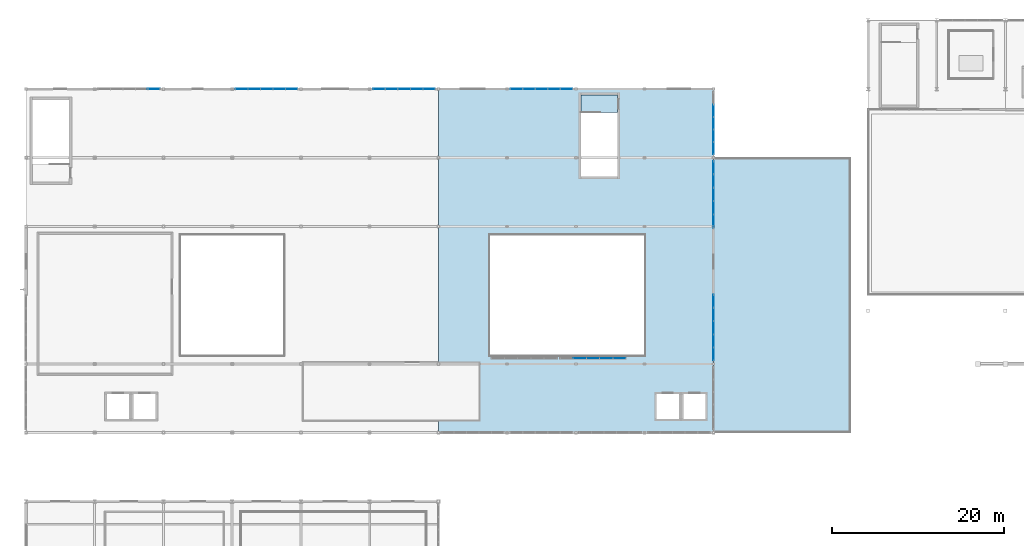
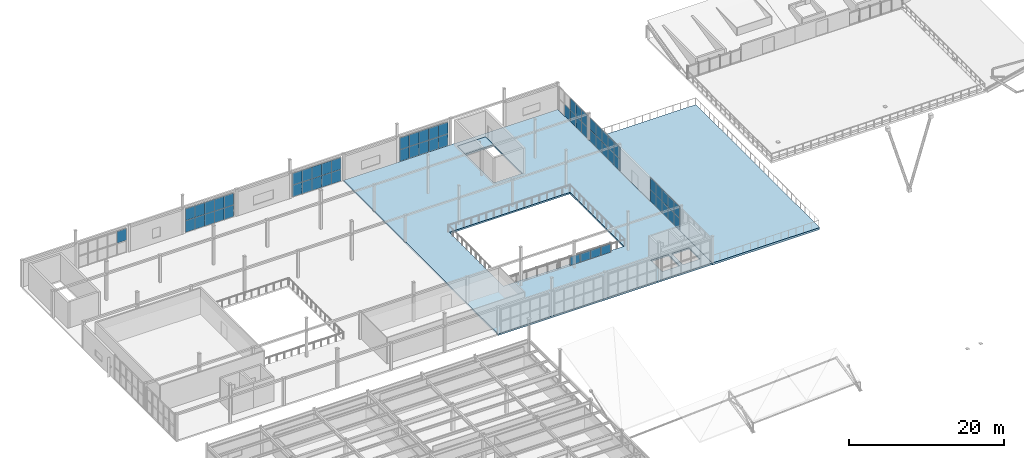
# One storey, part 49 of 83: 62 plates, 3 slabs, 8 elements without a shape of their own.
"""IFC4 building model written with IfcOpenShell, lengths in metres."""

from ifc_helpers import new_model, si_unit, direction, frame, origin, origin_2d, place, context, subcontext, project, spatial, polyline, rectangle, outline, extrude, material, layer, layer_set, type_object, element, aggregate, save


model = new_model("IFC4")

# Units and contexts
model_context = context("Model", 3, precision=1e-05, world=origin(), true_north=direction((0.0, 1.0)))
body_context = subcontext(model_context, "Body", "Model", "MODEL_VIEW")
ifc_project = project(units=[si_unit("LENGTHUNIT", "METRE"), si_unit("AREAUNIT", "SQUARE_METRE"), si_unit("VOLUMEUNIT", "CUBIC_METRE"), si_unit("PLANEANGLEUNIT", "RADIAN"), si_unit("MASSUNIT", "GRAM", prefix="KILO")], contexts=[model_context])

# Site, building, storey
site_placement = place(None, origin())
site = spatial("IfcSite", under=ifc_project, at=site_placement, CompositionType="ELEMENT")
building_placement = place(site_placement, origin())
building = spatial("IfcBuilding", under=site, at=building_placement, Name="Drelvath Fold Interchange", CompositionType="ELEMENT")
storey_placement = place(building_placement, frame((0.0, 0.0, 11.199951171875)))
storey = spatial("IfcBuildingStorey", under=building, at=storey_placement, Name="L02", CompositionType="ELEMENT", Elevation=11.199951171875)

# Curtain wall, plates
ifc_material_1 = material(Name="Anodized Aluminium 6063-T6", Category="aluminium")
curtain_wall_type_1 = type_object("IfcCurtainWallType", Name="CW-ATR-SCR", PredefinedType="USERDEFINED", material=ifc_material_1)
curtain_wall_1_placement = place(storey_placement, origin())
curtain_wall_1 = element("IfcCurtainWall", 1, at=curtain_wall_1_placement, inside=storey, type_object=curtain_wall_type_1, Name="Curtain wall CW-ATR-L02-S66", ObjectType="GLAZED SCREEN WALL", PredefinedType="USERDEFINED")
ifc_material_2 = material(Name="Low-Iron Insulated Laminated Glass", Category="glass")
ifc_layer_1 = layer(ifc_material_2, 0.02001953125, Name="Low-Iron Insulated Laminated Glass")
ifc_layer_set_1 = layer_set([ifc_layer_1], Name="Low-Iron Insulated Laminated Glass")
plate_type_1 = type_object("IfcPlateType", Name="CP-ATR-A", PredefinedType="CURTAIN_PANEL", material=ifc_layer_set_1)
plate_1_placement = place(storey_placement, frame((68.4599609375, 67.64990234375, 0.0400390625), z_axis=(0.0, 0.0, 1.0), x_axis=(1.0, 0.0, 0.0)))
plate_1 = element("IfcPlate", 2, at=plate_1_placement, type_object=plate_type_1, Name="CW-ATR-L02-S66 glazed panel 1-0", PredefinedType="CURTAIN_PANEL", context=body_context, shape_type="SweptSolid", body=[
    extrude(rectangle(XDim=1.52001953125, YDim=0.02001953125, at=origin_2d()), origin(), (0.0, 0.0, 1.0), 1.3701171875),
])
plate_2_placement = place(storey_placement, frame((70.0, 67.64990234375, 0.0400390625), z_axis=(0.0, 0.0, 1.0), x_axis=(1.0, 0.0, 0.0)))
plate_2 = element("IfcPlate", 3, at=plate_2_placement, type_object=plate_type_1, Name="CW-ATR-L02-S66 glazed panel 2-0", PredefinedType="CURTAIN_PANEL", context=body_context, shape_type="SweptSolid", body=[
    extrude(rectangle(XDim=1.52001953125, YDim=0.02001953125, at=origin_2d()), origin(), (0.0, 0.0, 1.0), 1.3701171875),
])
plate_3_placement = place(storey_placement, frame((71.5400390625, 67.64990234375, 0.0400390625), z_axis=(0.0, 0.0, 1.0), x_axis=(1.0, 0.0, 0.0)))
plate_3 = element("IfcPlate", 4, at=plate_3_placement, type_object=plate_type_1, Name="CW-ATR-L02-S66 glazed panel 3-0", PredefinedType="CURTAIN_PANEL", context=body_context, shape_type="SweptSolid", body=[
    extrude(rectangle(XDim=1.52001953125, YDim=0.02001953125, at=origin_2d()), origin(), (0.0, 0.0, 1.0), 1.3701171875),
])
plate_4_placement = place(storey_placement, frame((73.06005859375, 67.64990234375, 0.0400390625), z_axis=(0.0, 0.0, 1.0), x_axis=(1.0, 0.0, 0.0)))
plate_4 = element("IfcPlate", 5, at=plate_4_placement, type_object=plate_type_1, Name="CW-ATR-L02-S66 glazed panel 4-0", PredefinedType="CURTAIN_PANEL", context=body_context, shape_type="SweptSolid", body=[
    extrude(rectangle(XDim=1.47998046875, YDim=0.02001953125, at=origin_2d()), origin(), (0.0, 0.0, 1.0), 1.3701171875),
])
aggregate(curtain_wall_1, [plate_1, plate_2, plate_3, plate_4])

# Curtain wall, plate
curtain_wall_type_2 = type_object("IfcCurtainWallType", Name="CW-CON-440", PredefinedType="USERDEFINED", material=ifc_material_1)
curtain_wall_2_placement = place(storey_placement, origin())
curtain_wall_2 = element("IfcCurtainWall", 6, at=curtain_wall_2_placement, inside=storey, type_object=curtain_wall_type_2, Name="Curtain wall CW-V1-L02-N12", ObjectType="UNITISED CURTAIN WALL", PredefinedType="USERDEFINED")
ifc_layer_2 = layer(ifc_material_2, 0.05810546875, Name="Low-Iron Insulated Laminated Glass")
ifc_layer_set_2 = layer_set([ifc_layer_2], Name="Low-Iron Insulated Laminated Glass")
plate_type_2 = type_object("IfcPlateType", Name="CP-CON-B", PredefinedType="CURTAIN_PANEL", material=ifc_layer_set_2)
plate_5_placement = place(storey_placement, frame((18.89208984375, 99.0, 1.909912109375), z_axis=(0.0, 0.0, 1.0), x_axis=(1.0, 0.0, 0.0)))
plate_5 = element("IfcPlate", 7, at=plate_5_placement, type_object=plate_type_2, Name="CW-V1-L02-N12 glazed panel 4-1", PredefinedType="CURTAIN_PANEL", context=body_context, shape_type="SweptSolid", body=[
    extrude(rectangle(XDim=1.39599609375, YDim=0.05810546875, at=origin_2d()), origin(), (0.0, 0.0, 1.0), 1.85009765625),
])
aggregate(curtain_wall_2, [plate_5])

# Curtain wall, plates
curtain_wall_3_placement = place(storey_placement, origin())
curtain_wall_3 = element("IfcCurtainWall", 8, at=curtain_wall_3_placement, inside=storey, type_object=curtain_wall_type_2, Name="Curtain wall CW-V1-L02-N28", ObjectType="UNITISED CURTAIN WALL", PredefinedType="USERDEFINED")
plate_6_placement = place(storey_placement, frame((29.10791015625, 99.0, 0.0400390625), z_axis=(0.0, 0.0, 1.0), x_axis=(1.0, 0.0, 0.0)))
plate_6 = element("IfcPlate", 9, at=plate_6_placement, type_object=plate_type_2, Name="CW-V1-L02-N28 glazed panel 0-0", PredefinedType="CURTAIN_PANEL", context=body_context, shape_type="SweptSolid", body=[
    extrude(rectangle(XDim=1.39599609375, YDim=0.05810546875, at=origin_2d()), origin(), (0.0, 0.0, 1.0), 1.85009765625),
])
plate_7_placement = place(storey_placement, frame((29.10791015625, 99.0, 1.909912109375), z_axis=(0.0, 0.0, 1.0), x_axis=(1.0, 0.0, 0.0)))
plate_7 = element("IfcPlate", 10, at=plate_7_placement, type_object=plate_type_2, Name="CW-V1-L02-N28 glazed panel 0-1", PredefinedType="CURTAIN_PANEL", context=body_context, shape_type="SweptSolid", body=[
    extrude(rectangle(XDim=1.39599609375, YDim=0.05810546875, at=origin_2d()), origin(), (0.0, 0.0, 1.0), 1.85009765625),
])
plate_8_placement = place(storey_placement, frame((30.5439453125, 99.0, 0.0400390625), z_axis=(0.0, 0.0, 1.0), x_axis=(1.0, 0.0, 0.0)))
plate_8 = element("IfcPlate", 11, at=plate_8_placement, type_object=plate_type_2, Name="CW-V1-L02-N28 glazed panel 1-0", PredefinedType="CURTAIN_PANEL", context=body_context, shape_type="SweptSolid", body=[
    extrude(rectangle(XDim=1.43603515625, YDim=0.05810546875, at=origin_2d()), origin(), (0.0, 0.0, 1.0), 1.85009765625),
])
plate_9_placement = place(storey_placement, frame((30.5439453125, 99.0, 1.909912109375), z_axis=(0.0, 0.0, 1.0), x_axis=(1.0, 0.0, 0.0)))
plate_9 = element("IfcPlate", 12, at=plate_9_placement, type_object=plate_type_2, Name="CW-V1-L02-N28 glazed panel 1-1", PredefinedType="CURTAIN_PANEL", context=body_context, shape_type="SweptSolid", body=[
    extrude(rectangle(XDim=1.43603515625, YDim=0.05810546875, at=origin_2d()), origin(), (0.0, 0.0, 1.0), 1.85009765625),
])
plate_10_placement = place(storey_placement, frame((32.0, 99.0, 0.0400390625), z_axis=(0.0, 0.0, 1.0), x_axis=(1.0, 0.0, 0.0)))
plate_10 = element("IfcPlate", 13, at=plate_10_placement, type_object=plate_type_2, Name="CW-V1-L02-N28 glazed panel 2-0", PredefinedType="CURTAIN_PANEL", context=body_context, shape_type="SweptSolid", body=[
    extrude(rectangle(XDim=1.43603515625, YDim=0.05810546875, at=origin_2d()), origin(), (0.0, 0.0, 1.0), 1.85009765625),
])
plate_11_placement = place(storey_placement, frame((32.0, 99.0, 1.909912109375), z_axis=(0.0, 0.0, 1.0), x_axis=(1.0, 0.0, 0.0)))
plate_11 = element("IfcPlate", 14, at=plate_11_placement, type_object=plate_type_2, Name="CW-V1-L02-N28 glazed panel 2-1", PredefinedType="CURTAIN_PANEL", context=body_context, shape_type="SweptSolid", body=[
    extrude(rectangle(XDim=1.43603515625, YDim=0.05810546875, at=origin_2d()), origin(), (0.0, 0.0, 1.0), 1.85009765625),
])
plate_12_placement = place(storey_placement, frame((33.4560546875, 99.0, 0.0400390625), z_axis=(0.0, 0.0, 1.0), x_axis=(1.0, 0.0, 0.0)))
plate_12 = element("IfcPlate", 15, at=plate_12_placement, type_object=plate_type_2, Name="CW-V1-L02-N28 glazed panel 3-0", PredefinedType="CURTAIN_PANEL", context=body_context, shape_type="SweptSolid", body=[
    extrude(rectangle(XDim=1.43603515625, YDim=0.05810546875, at=origin_2d()), origin(), (0.0, 0.0, 1.0), 1.85009765625),
])
plate_13_placement = place(storey_placement, frame((33.4560546875, 99.0, 1.909912109375), z_axis=(0.0, 0.0, 1.0), x_axis=(1.0, 0.0, 0.0)))
plate_13 = element("IfcPlate", 16, at=plate_13_placement, type_object=plate_type_2, Name="CW-V1-L02-N28 glazed panel 3-1", PredefinedType="CURTAIN_PANEL", context=body_context, shape_type="SweptSolid", body=[
    extrude(rectangle(XDim=1.43603515625, YDim=0.05810546875, at=origin_2d()), origin(), (0.0, 0.0, 1.0), 1.85009765625),
])
plate_14_placement = place(storey_placement, frame((34.89208984375, 99.0, 0.0400390625), z_axis=(0.0, 0.0, 1.0), x_axis=(1.0, 0.0, 0.0)))
plate_14 = element("IfcPlate", 17, at=plate_14_placement, type_object=plate_type_2, Name="CW-V1-L02-N28 glazed panel 4-0", PredefinedType="CURTAIN_PANEL", context=body_context, shape_type="SweptSolid", body=[
    extrude(rectangle(XDim=1.39599609375, YDim=0.05810546875, at=origin_2d()), origin(), (0.0, 0.0, 1.0), 1.85009765625),
])
plate_15_placement = place(storey_placement, frame((34.89208984375, 99.0, 1.909912109375), z_axis=(0.0, 0.0, 1.0), x_axis=(1.0, 0.0, 0.0)))
plate_15 = element("IfcPlate", 18, at=plate_15_placement, type_object=plate_type_2, Name="CW-V1-L02-N28 glazed panel 4-1", PredefinedType="CURTAIN_PANEL", context=body_context, shape_type="SweptSolid", body=[
    extrude(rectangle(XDim=1.39599609375, YDim=0.05810546875, at=origin_2d()), origin(), (0.0, 0.0, 1.0), 1.85009765625),
])
aggregate(curtain_wall_3, [plate_6, plate_7, plate_8, plate_9, plate_10, plate_11, plate_12, plate_13, plate_14, plate_15])

curtain_wall_4_placement = place(storey_placement, origin())
curtain_wall_4 = element("IfcCurtainWall", 19, at=curtain_wall_4_placement, inside=storey, type_object=curtain_wall_type_2, Name="Curtain wall CW-V1-L02-N44", ObjectType="UNITISED CURTAIN WALL", PredefinedType="USERDEFINED")
plate_16_placement = place(storey_placement, frame((45.10791015625, 99.0, 0.0400390625), z_axis=(0.0, 0.0, 1.0), x_axis=(1.0, 0.0, 0.0)))
plate_16 = element("IfcPlate", 20, at=plate_16_placement, type_object=plate_type_2, Name="CW-V1-L02-N44 glazed panel 0-0", PredefinedType="CURTAIN_PANEL", context=body_context, shape_type="SweptSolid", body=[
    extrude(rectangle(XDim=1.39599609375, YDim=0.05810546875, at=origin_2d()), origin(), (0.0, 0.0, 1.0), 1.85009765625),
])
plate_17_placement = place(storey_placement, frame((45.10791015625, 99.0, 1.909912109375), z_axis=(0.0, 0.0, 1.0), x_axis=(1.0, 0.0, 0.0)))
plate_17 = element("IfcPlate", 21, at=plate_17_placement, type_object=plate_type_2, Name="CW-V1-L02-N44 glazed panel 0-1", PredefinedType="CURTAIN_PANEL", context=body_context, shape_type="SweptSolid", body=[
    extrude(rectangle(XDim=1.39599609375, YDim=0.05810546875, at=origin_2d()), origin(), (0.0, 0.0, 1.0), 1.85009765625),
])
plate_18_placement = place(storey_placement, frame((46.5439453125, 99.0, 0.0400390625), z_axis=(0.0, 0.0, 1.0), x_axis=(1.0, 0.0, 0.0)))
plate_18 = element("IfcPlate", 22, at=plate_18_placement, type_object=plate_type_2, Name="CW-V1-L02-N44 glazed panel 1-0", PredefinedType="CURTAIN_PANEL", context=body_context, shape_type="SweptSolid", body=[
    extrude(rectangle(XDim=1.43603515625, YDim=0.05810546875, at=origin_2d()), origin(), (0.0, 0.0, 1.0), 1.85009765625),
])
plate_19_placement = place(storey_placement, frame((46.5439453125, 99.0, 1.909912109375), z_axis=(0.0, 0.0, 1.0), x_axis=(1.0, 0.0, 0.0)))
plate_19 = element("IfcPlate", 23, at=plate_19_placement, type_object=plate_type_2, Name="CW-V1-L02-N44 glazed panel 1-1", PredefinedType="CURTAIN_PANEL", context=body_context, shape_type="SweptSolid", body=[
    extrude(rectangle(XDim=1.43603515625, YDim=0.05810546875, at=origin_2d()), origin(), (0.0, 0.0, 1.0), 1.85009765625),
])
plate_20_placement = place(storey_placement, frame((48.0, 99.0, 0.0400390625), z_axis=(0.0, 0.0, 1.0), x_axis=(1.0, 0.0, 0.0)))
plate_20 = element("IfcPlate", 24, at=plate_20_placement, type_object=plate_type_2, Name="CW-V1-L02-N44 glazed panel 2-0", PredefinedType="CURTAIN_PANEL", context=body_context, shape_type="SweptSolid", body=[
    extrude(rectangle(XDim=1.43603515625, YDim=0.05810546875, at=origin_2d()), origin(), (0.0, 0.0, 1.0), 1.85009765625),
])
plate_21_placement = place(storey_placement, frame((48.0, 99.0, 1.909912109375), z_axis=(0.0, 0.0, 1.0), x_axis=(1.0, 0.0, 0.0)))
plate_21 = element("IfcPlate", 25, at=plate_21_placement, type_object=plate_type_2, Name="CW-V1-L02-N44 glazed panel 2-1", PredefinedType="CURTAIN_PANEL", context=body_context, shape_type="SweptSolid", body=[
    extrude(rectangle(XDim=1.43603515625, YDim=0.05810546875, at=origin_2d()), origin(), (0.0, 0.0, 1.0), 1.85009765625),
])
plate_22_placement = place(storey_placement, frame((49.4560546875, 99.0, 0.0400390625), z_axis=(0.0, 0.0, 1.0), x_axis=(1.0, 0.0, 0.0)))
plate_22 = element("IfcPlate", 26, at=plate_22_placement, type_object=plate_type_2, Name="CW-V1-L02-N44 glazed panel 3-0", PredefinedType="CURTAIN_PANEL", context=body_context, shape_type="SweptSolid", body=[
    extrude(rectangle(XDim=1.43603515625, YDim=0.05810546875, at=origin_2d()), origin(), (0.0, 0.0, 1.0), 1.85009765625),
])
plate_23_placement = place(storey_placement, frame((49.4560546875, 99.0, 1.909912109375), z_axis=(0.0, 0.0, 1.0), x_axis=(1.0, 0.0, 0.0)))
plate_23 = element("IfcPlate", 27, at=plate_23_placement, type_object=plate_type_2, Name="CW-V1-L02-N44 glazed panel 3-1", PredefinedType="CURTAIN_PANEL", context=body_context, shape_type="SweptSolid", body=[
    extrude(rectangle(XDim=1.43603515625, YDim=0.05810546875, at=origin_2d()), origin(), (0.0, 0.0, 1.0), 1.85009765625),
])
plate_24_placement = place(storey_placement, frame((50.89208984375, 99.0, 0.0400390625), z_axis=(0.0, 0.0, 1.0), x_axis=(1.0, 0.0, 0.0)))
plate_24 = element("IfcPlate", 28, at=plate_24_placement, type_object=plate_type_2, Name="CW-V1-L02-N44 glazed panel 4-0", PredefinedType="CURTAIN_PANEL", context=body_context, shape_type="SweptSolid", body=[
    extrude(rectangle(XDim=1.39599609375, YDim=0.05810546875, at=origin_2d()), origin(), (0.0, 0.0, 1.0), 1.85009765625),
])
plate_25_placement = place(storey_placement, frame((50.89208984375, 99.0, 1.909912109375), z_axis=(0.0, 0.0, 1.0), x_axis=(1.0, 0.0, 0.0)))
plate_25 = element("IfcPlate", 29, at=plate_25_placement, type_object=plate_type_2, Name="CW-V1-L02-N44 glazed panel 4-1", PredefinedType="CURTAIN_PANEL", context=body_context, shape_type="SweptSolid", body=[
    extrude(rectangle(XDim=1.39599609375, YDim=0.05810546875, at=origin_2d()), origin(), (0.0, 0.0, 1.0), 1.85009765625),
])
aggregate(curtain_wall_4, [plate_16, plate_17, plate_18, plate_19, plate_20, plate_21, plate_22, plate_23, plate_24, plate_25])

curtain_wall_5_placement = place(storey_placement, origin())
curtain_wall_5 = element("IfcCurtainWall", 30, at=curtain_wall_5_placement, inside=storey, type_object=curtain_wall_type_2, Name="Curtain wall CW-V1-L02-N60", ObjectType="UNITISED CURTAIN WALL", PredefinedType="USERDEFINED")
plate_26_placement = place(storey_placement, frame((61.10791015625, 99.0, 0.0400390625), z_axis=(0.0, 0.0, 1.0), x_axis=(1.0, 0.0, 0.0)))
plate_26 = element("IfcPlate", 31, at=plate_26_placement, type_object=plate_type_2, Name="CW-V1-L02-N60 glazed panel 0-0", PredefinedType="CURTAIN_PANEL", context=body_context, shape_type="SweptSolid", body=[
    extrude(rectangle(XDim=1.39599609375, YDim=0.05810546875, at=origin_2d()), origin(), (0.0, 0.0, 1.0), 1.85009765625),
])
plate_27_placement = place(storey_placement, frame((61.10791015625, 99.0, 1.909912109375), z_axis=(0.0, 0.0, 1.0), x_axis=(1.0, 0.0, 0.0)))
plate_27 = element("IfcPlate", 32, at=plate_27_placement, type_object=plate_type_2, Name="CW-V1-L02-N60 glazed panel 0-1", PredefinedType="CURTAIN_PANEL", context=body_context, shape_type="SweptSolid", body=[
    extrude(rectangle(XDim=1.39599609375, YDim=0.05810546875, at=origin_2d()), origin(), (0.0, 0.0, 1.0), 1.85009765625),
])
plate_28_placement = place(storey_placement, frame((62.5439453125, 99.0, 0.0400390625), z_axis=(0.0, 0.0, 1.0), x_axis=(1.0, 0.0, 0.0)))
plate_28 = element("IfcPlate", 33, at=plate_28_placement, type_object=plate_type_2, Name="CW-V1-L02-N60 glazed panel 1-0", PredefinedType="CURTAIN_PANEL", context=body_context, shape_type="SweptSolid", body=[
    extrude(rectangle(XDim=1.43603515625, YDim=0.05810546875, at=origin_2d()), origin(), (0.0, 0.0, 1.0), 1.85009765625),
])
plate_29_placement = place(storey_placement, frame((62.5439453125, 99.0, 1.909912109375), z_axis=(0.0, 0.0, 1.0), x_axis=(1.0, 0.0, 0.0)))
plate_29 = element("IfcPlate", 34, at=plate_29_placement, type_object=plate_type_2, Name="CW-V1-L02-N60 glazed panel 1-1", PredefinedType="CURTAIN_PANEL", context=body_context, shape_type="SweptSolid", body=[
    extrude(rectangle(XDim=1.43603515625, YDim=0.05810546875, at=origin_2d()), origin(), (0.0, 0.0, 1.0), 1.85009765625),
])
plate_30_placement = place(storey_placement, frame((64.0, 99.0, 0.0400390625), z_axis=(0.0, 0.0, 1.0), x_axis=(1.0, 0.0, 0.0)))
plate_30 = element("IfcPlate", 35, at=plate_30_placement, type_object=plate_type_2, Name="CW-V1-L02-N60 glazed panel 2-0", PredefinedType="CURTAIN_PANEL", context=body_context, shape_type="SweptSolid", body=[
    extrude(rectangle(XDim=1.43603515625, YDim=0.05810546875, at=origin_2d()), origin(), (0.0, 0.0, 1.0), 1.85009765625),
])
plate_31_placement = place(storey_placement, frame((64.0, 99.0, 1.909912109375), z_axis=(0.0, 0.0, 1.0), x_axis=(1.0, 0.0, 0.0)))
plate_31 = element("IfcPlate", 36, at=plate_31_placement, type_object=plate_type_2, Name="CW-V1-L02-N60 glazed panel 2-1", PredefinedType="CURTAIN_PANEL", context=body_context, shape_type="SweptSolid", body=[
    extrude(rectangle(XDim=1.43603515625, YDim=0.05810546875, at=origin_2d()), origin(), (0.0, 0.0, 1.0), 1.85009765625),
])
plate_32_placement = place(storey_placement, frame((65.4560546875, 99.0, 0.0400390625), z_axis=(0.0, 0.0, 1.0), x_axis=(1.0, 0.0, 0.0)))
plate_32 = element("IfcPlate", 37, at=plate_32_placement, type_object=plate_type_2, Name="CW-V1-L02-N60 glazed panel 3-0", PredefinedType="CURTAIN_PANEL", context=body_context, shape_type="SweptSolid", body=[
    extrude(rectangle(XDim=1.43603515625, YDim=0.05810546875, at=origin_2d()), origin(), (0.0, 0.0, 1.0), 1.85009765625),
])
plate_33_placement = place(storey_placement, frame((65.4560546875, 99.0, 1.909912109375), z_axis=(0.0, 0.0, 1.0), x_axis=(1.0, 0.0, 0.0)))
plate_33 = element("IfcPlate", 38, at=plate_33_placement, type_object=plate_type_2, Name="CW-V1-L02-N60 glazed panel 3-1", PredefinedType="CURTAIN_PANEL", context=body_context, shape_type="SweptSolid", body=[
    extrude(rectangle(XDim=1.43603515625, YDim=0.05810546875, at=origin_2d()), origin(), (0.0, 0.0, 1.0), 1.85009765625),
])
plate_34_placement = place(storey_placement, frame((66.89208984375, 99.0, 0.0400390625), z_axis=(0.0, 0.0, 1.0), x_axis=(1.0, 0.0, 0.0)))
plate_34 = element("IfcPlate", 39, at=plate_34_placement, type_object=plate_type_2, Name="CW-V1-L02-N60 glazed panel 4-0", PredefinedType="CURTAIN_PANEL", context=body_context, shape_type="SweptSolid", body=[
    extrude(rectangle(XDim=1.39599609375, YDim=0.05810546875, at=origin_2d()), origin(), (0.0, 0.0, 1.0), 1.85009765625),
])
plate_35_placement = place(storey_placement, frame((66.89208984375, 99.0, 1.909912109375), z_axis=(0.0, 0.0, 1.0), x_axis=(1.0, 0.0, 0.0)))
plate_35 = element("IfcPlate", 40, at=plate_35_placement, type_object=plate_type_2, Name="CW-V1-L02-N60 glazed panel 4-1", PredefinedType="CURTAIN_PANEL", context=body_context, shape_type="SweptSolid", body=[
    extrude(rectangle(XDim=1.39599609375, YDim=0.05810546875, at=origin_2d()), origin(), (0.0, 0.0, 1.0), 1.85009765625),
])
aggregate(curtain_wall_5, [plate_26, plate_27, plate_28, plate_29, plate_30, plate_31, plate_32, plate_33, plate_34, plate_35])

curtain_wall_6_placement = place(storey_placement, origin())
curtain_wall_6 = element("IfcCurtainWall", 41, at=curtain_wall_6_placement, inside=storey, type_object=curtain_wall_type_2, Name="Curtain wall CW-V1E-L02-Y67", ObjectType="UNITISED CURTAIN WALL", PredefinedType="USERDEFINED")
plate_36_placement = place(storey_placement, frame((84.0, 68.152099609375, 0.0400390625), z_axis=(0.0, 0.0, 1.0), x_axis=(0.0, 1.0, 0.0)))
plate_36 = element("IfcPlate", 42, at=plate_36_placement, type_object=plate_type_2, Name="CW-V1E-L02-Y67 glazed panel 0-0", PredefinedType="CURTAIN_PANEL", context=body_context, shape_type="SweptSolid", body=[
    extrude(rectangle(XDim=1.48388671875, YDim=0.05810546875, at=origin_2d()), origin(), (0.0, 0.0, 1.0), 1.85009765625),
])
plate_37_placement = place(storey_placement, frame((84.0, 68.152099609375, 1.909912109375), z_axis=(0.0, 0.0, 1.0), x_axis=(0.0, 1.0, 0.0)))
plate_37 = element("IfcPlate", 43, at=plate_37_placement, type_object=plate_type_2, Name="CW-V1E-L02-Y67 glazed panel 0-1", PredefinedType="CURTAIN_PANEL", context=body_context, shape_type="SweptSolid", body=[
    extrude(rectangle(XDim=1.48388671875, YDim=0.05810546875, at=origin_2d()), origin(), (0.0, 0.0, 1.0), 1.85009765625),
])
plate_38_placement = place(storey_placement, frame((84.0, 69.676025390625, 0.0400390625), z_axis=(0.0, 0.0, 1.0), x_axis=(0.0, 1.0, 0.0)))
plate_38 = element("IfcPlate", 44, at=plate_38_placement, type_object=plate_type_2, Name="CW-V1E-L02-Y67 glazed panel 1-0", PredefinedType="CURTAIN_PANEL", context=body_context, shape_type="SweptSolid", body=[
    extrude(rectangle(XDim=1.52392578125, YDim=0.05810546875, at=origin_2d()), origin(), (0.0, 0.0, 1.0), 1.85009765625),
])
plate_39_placement = place(storey_placement, frame((84.0, 69.676025390625, 1.909912109375), z_axis=(0.0, 0.0, 1.0), x_axis=(0.0, 1.0, 0.0)))
plate_39 = element("IfcPlate", 45, at=plate_39_placement, type_object=plate_type_2, Name="CW-V1E-L02-Y67 glazed panel 1-1", PredefinedType="CURTAIN_PANEL", context=body_context, shape_type="SweptSolid", body=[
    extrude(rectangle(XDim=1.52392578125, YDim=0.05810546875, at=origin_2d()), origin(), (0.0, 0.0, 1.0), 1.85009765625),
])
plate_40_placement = place(storey_placement, frame((84.0, 71.219970703125, 0.0400390625), z_axis=(0.0, 0.0, 1.0), x_axis=(0.0, 1.0, 0.0)))
plate_40 = element("IfcPlate", 46, at=plate_40_placement, type_object=plate_type_2, Name="CW-V1E-L02-Y67 glazed panel 2-0", PredefinedType="CURTAIN_PANEL", context=body_context, shape_type="SweptSolid", body=[
    extrude(rectangle(XDim=1.52392578125, YDim=0.05810546875, at=origin_2d()), origin(), (0.0, 0.0, 1.0), 1.85009765625),
])
plate_41_placement = place(storey_placement, frame((84.0, 71.219970703125, 1.909912109375), z_axis=(0.0, 0.0, 1.0), x_axis=(0.0, 1.0, 0.0)))
plate_41 = element("IfcPlate", 47, at=plate_41_placement, type_object=plate_type_2, Name="CW-V1E-L02-Y67 glazed panel 2-1", PredefinedType="CURTAIN_PANEL", context=body_context, shape_type="SweptSolid", body=[
    extrude(rectangle(XDim=1.52392578125, YDim=0.05810546875, at=origin_2d()), origin(), (0.0, 0.0, 1.0), 1.85009765625),
])
plate_42_placement = place(storey_placement, frame((84.0, 72.763916015625, 0.0400390625), z_axis=(0.0, 0.0, 1.0), x_axis=(0.0, 1.0, 0.0)))
plate_42 = element("IfcPlate", 48, at=plate_42_placement, type_object=plate_type_2, Name="CW-V1E-L02-Y67 glazed panel 3-0", PredefinedType="CURTAIN_PANEL", context=body_context, shape_type="SweptSolid", body=[
    extrude(rectangle(XDim=1.52392578125, YDim=0.05810546875, at=origin_2d()), origin(), (0.0, 0.0, 1.0), 1.85009765625),
])
plate_43_placement = place(storey_placement, frame((84.0, 72.763916015625, 1.909912109375), z_axis=(0.0, 0.0, 1.0), x_axis=(0.0, 1.0, 0.0)))
plate_43 = element("IfcPlate", 49, at=plate_43_placement, type_object=plate_type_2, Name="CW-V1E-L02-Y67 glazed panel 3-1", PredefinedType="CURTAIN_PANEL", context=body_context, shape_type="SweptSolid", body=[
    extrude(rectangle(XDim=1.52392578125, YDim=0.05810546875, at=origin_2d()), origin(), (0.0, 0.0, 1.0), 1.85009765625),
])
plate_44_placement = place(storey_placement, frame((84.0, 74.2880859375, 0.0400390625), z_axis=(0.0, 0.0, 1.0), x_axis=(0.0, 1.0, 0.0)))
plate_44 = element("IfcPlate", 50, at=plate_44_placement, type_object=plate_type_2, Name="CW-V1E-L02-Y67 glazed panel 4-0", PredefinedType="CURTAIN_PANEL", context=body_context, shape_type="SweptSolid", body=[
    extrude(rectangle(XDim=1.48388671875, YDim=0.05810546875, at=origin_2d()), origin(), (0.0, 0.0, 1.0), 1.85009765625),
])
plate_45_placement = place(storey_placement, frame((84.0, 74.2880859375, 1.909912109375), z_axis=(0.0, 0.0, 1.0), x_axis=(0.0, 1.0, 0.0)))
plate_45 = element("IfcPlate", 51, at=plate_45_placement, type_object=plate_type_2, Name="CW-V1E-L02-Y67 glazed panel 4-1", PredefinedType="CURTAIN_PANEL", context=body_context, shape_type="SweptSolid", body=[
    extrude(rectangle(XDim=1.48388671875, YDim=0.05810546875, at=origin_2d()), origin(), (0.0, 0.0, 1.0), 1.85009765625),
])
aggregate(curtain_wall_6, [plate_36, plate_37, plate_38, plate_39, plate_40, plate_41, plate_42, plate_43, plate_44, plate_45])

curtain_wall_7_placement = place(storey_placement, origin())
curtain_wall_7 = element("IfcCurtainWall", 52, at=curtain_wall_7_placement, inside=storey, type_object=curtain_wall_type_2, Name="Curtain wall CW-V1E-L02-Y83", ObjectType="UNITISED CURTAIN WALL", PredefinedType="USERDEFINED")
plate_46_placement = place(storey_placement, frame((84.0, 83.6220703125, 0.0400390625), z_axis=(0.0, 0.0, 1.0), x_axis=(0.0, 1.0, 0.0)))
plate_46 = element("IfcPlate", 53, at=plate_46_placement, type_object=plate_type_2, Name="CW-V1E-L02-Y83 glazed panel 0-0", PredefinedType="CURTAIN_PANEL", context=body_context, shape_type="SweptSolid", body=[
    extrude(rectangle(XDim=1.50390625, YDim=0.05810546875, at=origin_2d()), origin(), (0.0, 0.0, 1.0), 1.85009765625),
])
plate_47_placement = place(storey_placement, frame((84.0, 83.6220703125, 1.909912109375), z_axis=(0.0, 0.0, 1.0), x_axis=(0.0, 1.0, 0.0)))
plate_47 = element("IfcPlate", 54, at=plate_47_placement, type_object=plate_type_2, Name="CW-V1E-L02-Y83 glazed panel 0-1", PredefinedType="CURTAIN_PANEL", context=body_context, shape_type="SweptSolid", body=[
    extrude(rectangle(XDim=1.50390625, YDim=0.05810546875, at=origin_2d()), origin(), (0.0, 0.0, 1.0), 1.85009765625),
])
plate_48_placement = place(storey_placement, frame((84.0, 85.166015625, 0.0400390625), z_axis=(0.0, 0.0, 1.0), x_axis=(0.0, 1.0, 0.0)))
plate_48 = element("IfcPlate", 55, at=plate_48_placement, type_object=plate_type_2, Name="CW-V1E-L02-Y83 glazed panel 1-0", PredefinedType="CURTAIN_PANEL", context=body_context, shape_type="SweptSolid", body=[
    extrude(rectangle(XDim=1.5439453125, YDim=0.05810546875, at=origin_2d()), origin(), (0.0, 0.0, 1.0), 1.85009765625),
])
plate_49_placement = place(storey_placement, frame((84.0, 85.166015625, 1.909912109375), z_axis=(0.0, 0.0, 1.0), x_axis=(0.0, 1.0, 0.0)))
plate_49 = element("IfcPlate", 56, at=plate_49_placement, type_object=plate_type_2, Name="CW-V1E-L02-Y83 glazed panel 1-1", PredefinedType="CURTAIN_PANEL", context=body_context, shape_type="SweptSolid", body=[
    extrude(rectangle(XDim=1.5439453125, YDim=0.05810546875, at=origin_2d()), origin(), (0.0, 0.0, 1.0), 1.85009765625),
])
plate_50_placement = place(storey_placement, frame((84.0, 86.72998046875, 0.0400390625), z_axis=(0.0, 0.0, 1.0), x_axis=(0.0, 1.0, 0.0)))
plate_50 = element("IfcPlate", 57, at=plate_50_placement, type_object=plate_type_2, Name="CW-V1E-L02-Y83 glazed panel 2-0", PredefinedType="CURTAIN_PANEL", context=body_context, shape_type="SweptSolid", body=[
    extrude(rectangle(XDim=1.5439453125, YDim=0.05810546875, at=origin_2d()), origin(), (0.0, 0.0, 1.0), 1.85009765625),
])
plate_51_placement = place(storey_placement, frame((84.0, 86.72998046875, 1.909912109375), z_axis=(0.0, 0.0, 1.0), x_axis=(0.0, 1.0, 0.0)))
plate_51 = element("IfcPlate", 58, at=plate_51_placement, type_object=plate_type_2, Name="CW-V1E-L02-Y83 glazed panel 2-1", PredefinedType="CURTAIN_PANEL", context=body_context, shape_type="SweptSolid", body=[
    extrude(rectangle(XDim=1.5439453125, YDim=0.05810546875, at=origin_2d()), origin(), (0.0, 0.0, 1.0), 1.85009765625),
])
plate_52_placement = place(storey_placement, frame((84.0, 88.2939453125, 0.0400390625), z_axis=(0.0, 0.0, 1.0), x_axis=(0.0, 1.0, 0.0)))
plate_52 = element("IfcPlate", 59, at=plate_52_placement, type_object=plate_type_2, Name="CW-V1E-L02-Y83 glazed panel 3-0", PredefinedType="CURTAIN_PANEL", context=body_context, shape_type="SweptSolid", body=[
    extrude(rectangle(XDim=1.5439453125, YDim=0.05810546875, at=origin_2d()), origin(), (0.0, 0.0, 1.0), 1.85009765625),
])
plate_53_placement = place(storey_placement, frame((84.0, 88.2939453125, 1.909912109375), z_axis=(0.0, 0.0, 1.0), x_axis=(0.0, 1.0, 0.0)))
plate_53 = element("IfcPlate", 60, at=plate_53_placement, type_object=plate_type_2, Name="CW-V1E-L02-Y83 glazed panel 3-1", PredefinedType="CURTAIN_PANEL", context=body_context, shape_type="SweptSolid", body=[
    extrude(rectangle(XDim=1.5439453125, YDim=0.05810546875, at=origin_2d()), origin(), (0.0, 0.0, 1.0), 1.85009765625),
])
plate_54_placement = place(storey_placement, frame((84.0, 89.837890625, 0.0400390625), z_axis=(0.0, 0.0, 1.0), x_axis=(0.0, 1.0, 0.0)))
plate_54 = element("IfcPlate", 61, at=plate_54_placement, type_object=plate_type_2, Name="CW-V1E-L02-Y83 glazed panel 4-0", PredefinedType="CURTAIN_PANEL", context=body_context, shape_type="SweptSolid", body=[
    extrude(rectangle(XDim=1.50390625, YDim=0.05810546875, at=origin_2d()), origin(), (0.0, 0.0, 1.0), 1.85009765625),
])
plate_55_placement = place(storey_placement, frame((84.0, 89.837890625, 1.909912109375), z_axis=(0.0, 0.0, 1.0), x_axis=(0.0, 1.0, 0.0)))
plate_55 = element("IfcPlate", 62, at=plate_55_placement, type_object=plate_type_2, Name="CW-V1E-L02-Y83 glazed panel 4-1", PredefinedType="CURTAIN_PANEL", context=body_context, shape_type="SweptSolid", body=[
    extrude(rectangle(XDim=1.50390625, YDim=0.05810546875, at=origin_2d()), origin(), (0.0, 0.0, 1.0), 1.85009765625),
])
aggregate(curtain_wall_7, [plate_46, plate_47, plate_48, plate_49, plate_50, plate_51, plate_52, plate_53, plate_54, plate_55])

curtain_wall_8_placement = place(storey_placement, origin())
curtain_wall_8 = element("IfcCurtainWall", 63, at=curtain_wall_8_placement, inside=storey, type_object=curtain_wall_type_2, Name="Curtain wall CW-V1E-L02-Y91", ObjectType="UNITISED CURTAIN WALL", PredefinedType="USERDEFINED")
plate_56_placement = place(storey_placement, frame((84.0, 92.10791015625, 0.0400390625), z_axis=(0.0, 0.0, 1.0), x_axis=(0.0, 1.0, 0.0)))
plate_56 = element("IfcPlate", 64, at=plate_56_placement, type_object=plate_type_2, Name="CW-V1E-L02-Y91 glazed panel 0-0", PredefinedType="CURTAIN_PANEL", context=body_context, shape_type="SweptSolid", body=[
    extrude(rectangle(XDim=1.39599609375, YDim=0.05810546875, at=origin_2d()), origin(), (0.0, 0.0, 1.0), 1.85009765625),
])
plate_57_placement = place(storey_placement, frame((84.0, 92.10791015625, 1.909912109375), z_axis=(0.0, 0.0, 1.0), x_axis=(0.0, 1.0, 0.0)))
plate_57 = element("IfcPlate", 65, at=plate_57_placement, type_object=plate_type_2, Name="CW-V1E-L02-Y91 glazed panel 0-1", PredefinedType="CURTAIN_PANEL", context=body_context, shape_type="SweptSolid", body=[
    extrude(rectangle(XDim=1.39599609375, YDim=0.05810546875, at=origin_2d()), origin(), (0.0, 0.0, 1.0), 1.85009765625),
])
plate_58_placement = place(storey_placement, frame((84.0, 93.5439453125, 0.0400390625), z_axis=(0.0, 0.0, 1.0), x_axis=(0.0, 1.0, 0.0)))
plate_58 = element("IfcPlate", 66, at=plate_58_placement, type_object=plate_type_2, Name="CW-V1E-L02-Y91 glazed panel 1-0", PredefinedType="CURTAIN_PANEL", context=body_context, shape_type="SweptSolid", body=[
    extrude(rectangle(XDim=1.43603515625, YDim=0.05810546875, at=origin_2d()), origin(), (0.0, 0.0, 1.0), 1.85009765625),
])
plate_59_placement = place(storey_placement, frame((84.0, 93.5439453125, 1.909912109375), z_axis=(0.0, 0.0, 1.0), x_axis=(0.0, 1.0, 0.0)))
plate_59 = element("IfcPlate", 67, at=plate_59_placement, type_object=plate_type_2, Name="CW-V1E-L02-Y91 glazed panel 1-1", PredefinedType="CURTAIN_PANEL", context=body_context, shape_type="SweptSolid", body=[
    extrude(rectangle(XDim=1.43603515625, YDim=0.05810546875, at=origin_2d()), origin(), (0.0, 0.0, 1.0), 1.85009765625),
])
plate_60_placement = place(storey_placement, frame((84.0, 95.0, 0.0400390625), z_axis=(0.0, 0.0, 1.0), x_axis=(0.0, 1.0, 0.0)))
plate_60 = element("IfcPlate", 68, at=plate_60_placement, type_object=plate_type_2, Name="CW-V1E-L02-Y91 glazed panel 2-0", PredefinedType="CURTAIN_PANEL", context=body_context, shape_type="SweptSolid", body=[
    extrude(rectangle(XDim=1.43603515625, YDim=0.05810546875, at=origin_2d()), origin(), (0.0, 0.0, 1.0), 1.85009765625),
])
plate_61_placement = place(storey_placement, frame((84.0, 95.0, 1.909912109375), z_axis=(0.0, 0.0, 1.0), x_axis=(0.0, 1.0, 0.0)))
plate_61 = element("IfcPlate", 69, at=plate_61_placement, type_object=plate_type_2, Name="CW-V1E-L02-Y91 glazed panel 2-1", PredefinedType="CURTAIN_PANEL", context=body_context, shape_type="SweptSolid", body=[
    extrude(rectangle(XDim=1.43603515625, YDim=0.05810546875, at=origin_2d()), origin(), (0.0, 0.0, 1.0), 1.85009765625),
])
plate_62_placement = place(storey_placement, frame((84.0, 96.4560546875, 0.0400390625), z_axis=(0.0, 0.0, 1.0), x_axis=(0.0, 1.0, 0.0)))
plate_62 = element("IfcPlate", 70, at=plate_62_placement, type_object=plate_type_2, Name="CW-V1E-L02-Y91 glazed panel 3-0", PredefinedType="CURTAIN_PANEL", context=body_context, shape_type="SweptSolid", body=[
    extrude(rectangle(XDim=1.43603515625, YDim=0.05810546875, at=origin_2d()), origin(), (0.0, 0.0, 1.0), 1.85009765625),
])
aggregate(curtain_wall_8, [plate_56, plate_57, plate_58, plate_59, plate_60, plate_61, plate_62])

# Slabs
ifc_material_3 = material(Name="Concrete f'c 35 MPa (5000 psi)", Category="concrete")
ifc_layer_3 = layer(ifc_material_3, 0.25, Name="Concrete f'c 35 MPa (5000 psi)")
ifc_layer_set_3 = layer_set([ifc_layer_3], Name="Concrete f'c 35 MPa (5000 psi)")
slab_type_1 = type_object("IfcSlabType", Name="FS-UP2", PredefinedType="FLOOR", material=ifc_layer_set_3)
slab_1_placement = place(storey_placement, frame((0.0, 0.0, -0.25)))
element("IfcSlab", 71, at=slab_1_placement, inside=storey, type_object=slab_type_1, Name="L02 structural slab SL-L02-V1E", PredefinedType="FLOOR", context=body_context, shape_type="SweptSolid", body=[
    extrude(outline(polyline([(52.0, 59.0), (84.0, 59.0), (84.0, 99.0), (52.0, 99.0), (52.0, 59.0)]), holes=[polyline([(58.0, 68.0), (58.0, 82.0), (76.0, 82.0), (76.0, 68.0), (58.0, 68.0)]), polyline([(68.60009765625, 88.800048828125), (68.60009765625, 98.300048828125), (72.820068359375, 98.300048828125), (72.820068359375, 88.800048828125), (68.60009765625, 88.800048828125)]), polyline([(77.39990234375, 60.60009765625), (77.39990234375, 63.5), (80.0, 63.5), (80.0, 60.60009765625), (77.39990234375, 60.60009765625)]), polyline([(80.5, 60.60009765625), (80.5, 63.5), (83.10009765625, 63.5), (83.10009765625, 60.60009765625), (80.5, 60.60009765625)])]), origin(), (0.0, 0.0, 1.0), 0.25),
])
slab_2_placement = place(storey_placement, frame((0.0, 0.0, -0.25)))
element("IfcSlab", 72, at=slab_2_placement, inside=storey, type_object=slab_type_1, Name="ST-06 L02 stair floor landing slab", PredefinedType="FLOOR", context=body_context, shape_type="SweptSolid", body=[
    extrude(outline(polyline([(68.60009765625, 96.25), (72.820068359375, 96.25), (72.820068359375, 98.300048828125), (68.60009765625, 98.300048828125), (68.60009765625, 96.25)])), origin(), (0.0, 0.0, 1.0), 0.25),
])
ifc_layer_4 = layer(ifc_material_3, 0.330078125, Name="Concrete f'c 35 MPa (5000 psi)")
ifc_layer_set_4 = layer_set([ifc_layer_4], Name="Concrete f'c 35 MPa (5000 psi)")
slab_type_2 = type_object("IfcSlabType", Name="TR-05", PredefinedType="FLOOR", material=ifc_layer_set_4)
slab_3_placement = place(storey_placement, frame((0.0, 0.0, -0.329833984375)))
element("IfcSlab", 73, at=slab_3_placement, inside=storey, type_object=slab_type_2, Name="Concourse East Roof Terrace", PredefinedType="FLOOR", context=body_context, shape_type="SweptSolid", body=[
    extrude(outline(polyline([(84.0, 59.0), (100.0, 59.0), (100.0, 91.0), (84.0, 91.0), (84.0, 59.0)])), origin(), (0.0, 0.0, 1.0), 0.329833984375),
])

save(model, "model.ifc")
